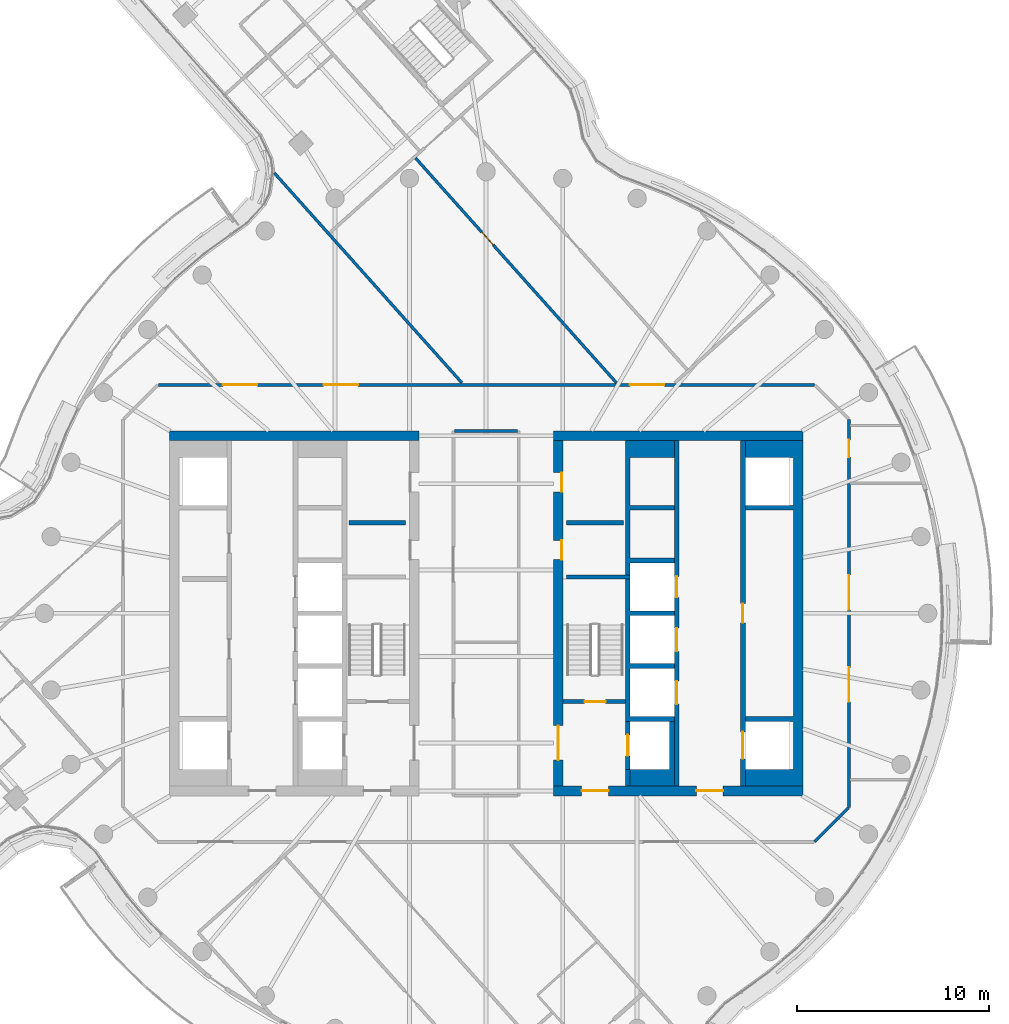
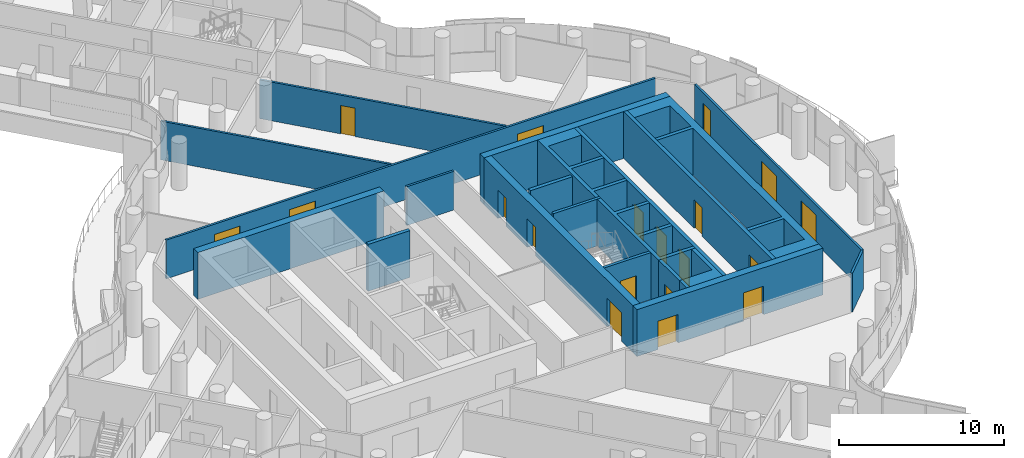
# One storey, part 23 of 33: 21 walls, 19 doors, 19 openings.
"""IFC4 building model written with IfcOpenShell, lengths in metres."""

from ifc_helpers import new_model, si_unit, direction, frame, frame_2d, origin, place, context, subcontext, project, spatial, polyline, rectangle, outline, extrude, material, layer, layer_set, type_object, element, fill, save


model = new_model("IFC4")

# Units and contexts
model_context = context("Model", 3, precision=1e-05, world=origin(), true_north=direction((0.0, 1.0)))
body_context = subcontext(model_context, "Body", "Model", "MODEL_VIEW")
ifc_project = project(units=[si_unit("LENGTHUNIT", "METRE"), si_unit("AREAUNIT", "SQUARE_METRE"), si_unit("VOLUMEUNIT", "CUBIC_METRE"), si_unit("PLANEANGLEUNIT", "RADIAN"), si_unit("MASSUNIT", "GRAM", prefix="KILO")], contexts=[model_context])

# Site, building, storey
site_placement = place(None, origin())
site = spatial("IfcSite", under=ifc_project, at=site_placement, CompositionType="ELEMENT")
building_placement = place(site_placement, origin())
building = spatial("IfcBuilding", under=site, at=building_placement, Name="Tamarind Cross Interchange Tower", CompositionType="ELEMENT")
storey_placement = place(building_placement, frame((0.0, 0.0, 186.10009765625)))
storey = spatial("IfcBuildingStorey", under=building, at=storey_placement, Name="L46", CompositionType="ELEMENT", Elevation=186.10009765625)

# Wall
ifc_material_1 = material(Name="Concrete C55", Category="concrete")
ifc_layer_1 = layer(ifc_material_1, 0.5)
ifc_layer_set_1 = layer_set([ifc_layer_1], Name="Concrete C55")
wall_type_1 = type_object("IfcWallType", Name="Core wall 500 mm Concrete C55", PredefinedType="SHEAR", material=ifc_layer_set_1)
wall_1_placement = place(storey_placement, frame((-16.5, 9.25, 0.0), z_axis=(0.0, 0.0, 1.0), x_axis=(1.0, 0.0, 0.0)))
element("IfcWall", 1, at=wall_1_placement, inside=storey, type_object=wall_type_1, Name="Core wall CWL-L46-W-NE", PredefinedType="SHEAR", context=body_context, shape_type="SweptSolid", body=[
    extrude(rectangle(XDim=13.0, YDim=0.5, at=frame_2d((6.5, 0.0))), origin(), (0.0, 0.0, 1.0), 3.4599609375),
])

# Wall, openings, doors
wall_2_placement = place(storey_placement, frame((16.5, -9.25, 0.0), z_axis=(0.0, 0.0, 1.0), x_axis=(-1.0, 0.0, 0.0)))
wall_2 = element("IfcWall", 2, at=wall_2_placement, inside=storey, type_object=wall_type_1, Name="Core wall CWL-L46-E-S", PredefinedType="SHEAR", context=body_context, shape_type="SweptSolid", body=[
    extrude(rectangle(XDim=13.0, YDim=0.5, at=frame_2d((6.5, 0.0))), origin(), (0.0, 0.0, 1.0), 3.4599609375),
])
opening_1_placement = place(wall_2_placement, frame((4.14990234375, 0.0, 0.0)))
opening_1 = element("IfcOpeningElement", 3, at=opening_1_placement, cuts=wall_2, Name="Opening DCE1", PredefinedType="OPENING", context=body_context, shape_type="SweptSolid", body=[
    extrude(rectangle(XDim=1.39990234375, YDim=2.10009765625, at=frame_2d((0.699951171875, 1.050048828125))), frame((0.0, 0.260009765625, 0.0), z_axis=(0.0, -1.0, 0.0), x_axis=(1.0, 0.0, 0.0)), (0.0, 0.0, 1.0), 0.52001953125),
])
opening_2_placement = place(wall_2_placement, frame((10.125, 0.0, 0.0)))
opening_2 = element("IfcOpeningElement", 4, at=opening_2_placement, cuts=wall_2, Name="Opening DCEF", PredefinedType="OPENING", context=body_context, shape_type="SweptSolid", body=[
    extrude(rectangle(XDim=1.39990234375, YDim=2.10009765625, at=frame_2d((0.699951171875, 1.050048828125))), frame((0.0, 0.260009765625, 0.0), z_axis=(0.0, -1.0, 0.0), x_axis=(1.0, 0.0, 0.0)), (0.0, 0.0, 1.0), 0.52001953125),
])
ifc_material_2 = material(Name="Steel, fire-resisting", Category="steel")
door_type_1 = type_object("IfcDoorType", Name="Core fire door 1400 x 2100 FD90", OperationType="SINGLE_SWING_LEFT", PredefinedType="DOOR", material=ifc_material_2)
door_1_placement = place(opening_1_placement, origin())
door_1 = element("IfcDoor", 5, at=door_1_placement, inside=storey, type_object=door_type_1, Name="L46 lift lobby door", OperationType="SINGLE_SWING_LEFT", OverallHeight=2.10009765625, OverallWidth=1.39990234375, PredefinedType="DOOR", context=body_context, shape_type="SweptSolid", body=[
    extrude(rectangle(XDim=1.39990234375, YDim=2.10009765625, at=frame_2d((0.699951171875, 1.050048828125))), frame((0.0, 0.02490234375, 0.0), z_axis=(0.0, -1.0, 0.0), x_axis=(1.0, 0.0, 0.0)), (0.0, 0.0, 1.0), 0.050048828125),
])
fill(opening_1, door_1)
door_2_placement = place(opening_2_placement, origin())
door_2 = element("IfcDoor", 6, at=door_2_placement, inside=storey, type_object=door_type_1, Name="L46 firefighting lobby end door", OperationType="SINGLE_SWING_LEFT", OverallHeight=2.10009765625, OverallWidth=1.39990234375, PredefinedType="DOOR", context=body_context, shape_type="SweptSolid", body=[
    extrude(rectangle(XDim=1.39990234375, YDim=2.10009765625, at=frame_2d((0.699951171875, 1.050048828125))), frame((0.0, 0.02490234375, 0.0), z_axis=(0.0, -1.0, 0.0), x_axis=(1.0, 0.0, 0.0)), (0.0, 0.0, 1.0), 0.050048828125),
])
fill(opening_2, door_2)

# Walls
wall_3_placement = place(storey_placement, origin())
element("IfcWall", 7, at=wall_3_placement, inside=storey, type_object=wall_type_1, Name="Core wall CWL-L46-E-A", PredefinedType="SHEAR", context=body_context, shape_type="SweptSolid", body=[
    extrude(outline(polyline([(13.5, -8.125), (13.5, -9.0), (16.0, -9.0), (16.5, -9.0), (16.5, 9.0), (16.0, 9.0), (13.5, 9.0), (13.5, 8.125), (16.0, 8.125), (16.0, 5.625), (13.5, 5.625), (13.5, 5.375), (16.0, 5.375), (16.0, -5.375), (13.5, -5.375), (13.5, -5.625), (16.0, -5.625), (16.0, -8.125), (13.5, -8.125)])), origin(), (0.0, 0.0, 1.0), 3.4599609375),
])
wall_4_placement = place(storey_placement, frame((16.5, 9.25, 0.0), z_axis=(0.0, 0.0, 1.0), x_axis=(-1.0, 0.0, 0.0)))
element("IfcWall", 8, at=wall_4_placement, inside=storey, type_object=wall_type_1, Name="Core wall CWL-L46-E-NE", PredefinedType="SHEAR", context=body_context, shape_type="SweptSolid", body=[
    extrude(rectangle(XDim=13.0, YDim=0.5, at=frame_2d((6.5, 0.0))), origin(), (0.0, 0.0, 1.0), 3.4599609375),
])

# Wall, openings, doors
wall_5_placement = place(storey_placement, frame((3.75, -9.0, 0.0), z_axis=(0.0, 0.0, 1.0), x_axis=(0.0, 1.0, 0.0)))
wall_5 = element("IfcWall", 9, at=wall_5_placement, inside=storey, type_object=wall_type_1, Name="Core wall CWL-L46-E-IN", PredefinedType="SHEAR", context=body_context, shape_type="SweptSolid", body=[
    extrude(rectangle(XDim=18.0, YDim=0.5, at=frame_2d((9.0, 0.0))), origin(), (0.0, 0.0, 1.0), 3.4599609375),
])
opening_3_placement = place(wall_5_placement, frame((1.35009765625, 0.0, 0.0)))
opening_3 = element("IfcOpeningElement", 10, at=opening_3_placement, cuts=wall_5, Name="Opening DCE4", PredefinedType="OPENING", context=body_context, shape_type="SweptSolid", body=[
    extrude(rectangle(XDim=1.800048828125, YDim=2.10009765625, at=frame_2d((0.89990234375, 1.050048828125))), frame((0.0, 0.260009765625, 0.0), z_axis=(0.0, -1.0, 0.0), x_axis=(1.0, 0.0, 0.0)), (0.0, 0.0, 1.0), 0.52001953125),
])
opening_4_placement = place(wall_5_placement, frame((11.797607421875, 0.0, 0.0)))
opening_4 = element("IfcOpeningElement", 11, at=opening_4_placement, cuts=wall_5, Name="Opening DCE5", PredefinedType="OPENING", context=body_context, shape_type="SweptSolid", body=[
    extrude(rectangle(XDim=1.0, YDim=2.10009765625, at=frame_2d((0.5, 1.050048828125))), frame((0.0, 0.260009765625, 0.0), z_axis=(0.0, -1.0, 0.0), x_axis=(1.0, 0.0, 0.0)), (0.0, 0.0, 1.0), 0.52001953125),
])
opening_5_placement = place(wall_5_placement, frame((15.322509765625, 0.0, 0.0)))
opening_5 = element("IfcOpeningElement", 12, at=opening_5_placement, cuts=wall_5, Name="Opening DCE5", PredefinedType="OPENING", context=body_context, shape_type="SweptSolid", body=[
    extrude(rectangle(XDim=1.0, YDim=2.10009765625, at=frame_2d((0.5, 1.050048828125))), frame((0.0, 0.260009765625, 0.0), z_axis=(0.0, -1.0, 0.0), x_axis=(1.0, 0.0, 0.0)), (0.0, 0.0, 1.0), 0.52001953125),
])
door_type_2 = type_object("IfcDoorType", Name="Core fire door 1000 x 2100 FD90", OperationType="SINGLE_SWING_LEFT", PredefinedType="DOOR", material=ifc_material_2)
door_3_placement = place(opening_4_placement, origin())
door_3 = element("IfcDoor", 13, at=door_3_placement, inside=storey, type_object=door_type_2, Name="L46 linen press door", OperationType="SINGLE_SWING_LEFT", OverallHeight=2.10009765625, OverallWidth=1.0, PredefinedType="DOOR", context=body_context, shape_type="SweptSolid", body=[
    extrude(rectangle(XDim=1.0, YDim=2.10009765625, at=frame_2d((0.5, 1.050048828125))), frame((0.0, -0.1748046875, 0.0), z_axis=(0.0, -1.0, 0.0), x_axis=(1.0, 0.0, 0.0)), (0.0, 0.0, 1.0), 0.050048828125),
])
fill(opening_4, door_3)
door_4_placement = place(opening_5_placement, origin())
door_4 = element("IfcDoor", 14, at=door_4_placement, inside=storey, type_object=door_type_2, Name="L46 housekeeping pantry door", OperationType="SINGLE_SWING_LEFT", OverallHeight=2.10009765625, OverallWidth=1.0, PredefinedType="DOOR", context=body_context, shape_type="SweptSolid", body=[
    extrude(rectangle(XDim=1.0, YDim=2.10009765625, at=frame_2d((0.5, 1.050048828125))), frame((0.0, -0.1748046875, 0.0), z_axis=(0.0, -1.0, 0.0), x_axis=(1.0, 0.0, 0.0)), (0.0, 0.0, 1.0), 0.050048828125),
])
fill(opening_5, door_4)
door_type_3 = type_object("IfcDoorType", Name="Core fire door 1800 x 2100 FD90", OperationType="SINGLE_SWING_LEFT", PredefinedType="DOOR", material=ifc_material_2)
door_5_placement = place(opening_3_placement, origin())
door_5 = element("IfcDoor", 15, at=door_5_placement, inside=storey, type_object=door_type_3, Name="L46 firefighting lobby door", OperationType="SINGLE_SWING_LEFT", OverallHeight=2.10009765625, OverallWidth=1.800048828125, PredefinedType="DOOR", context=body_context, shape_type="SweptSolid", body=[
    extrude(rectangle(XDim=1.800048828125, YDim=2.10009765625, at=frame_2d((0.89990234375, 1.050048828125))), frame((0.0, 0.02490234375, 0.0), z_axis=(0.0, -1.0, 0.0), x_axis=(1.0, 0.0, 0.0)), (0.0, 0.0, 1.0), 0.050048828125),
])
fill(opening_3, door_5)

# Walls
ifc_layer_2 = layer(ifc_material_1, 0.199951171875)
ifc_layer_set_2 = layer_set([ifc_layer_2], Name="Concrete C55")
wall_type_2 = type_object("IfcWallType", Name="Core web wall 200 mm Concrete C55", PredefinedType="SHEAR", material=ifc_layer_set_2)
wall_6_placement = place(storey_placement, frame((7.5, 1.89990234375, 0.0), z_axis=(0.0, 0.0, 1.0), x_axis=(-1.0, 0.0, 0.0)))
element("IfcWall", 16, at=wall_6_placement, inside=storey, type_object=wall_type_2, Name="Core wall CWL-L46-E-BD", PredefinedType="SHEAR", context=body_context, shape_type="SweptSolid", body=[
    extrude(rectangle(XDim=3.300048828125, YDim=0.199951171875, at=frame_2d((1.64990234375, 0.0))), origin(), (0.0, 0.0, 1.0), 3.4599609375),
])
ifc_layer_3 = layer(ifc_material_1, 0.25)
ifc_layer_set_3 = layer_set([ifc_layer_3], Name="Concrete C55")
wall_type_3 = type_object("IfcWallType", Name="Core web wall 250 mm Concrete C55", PredefinedType="SHEAR", material=ifc_layer_set_3)
wall_7_placement = place(storey_placement, origin())
element("IfcWall", 17, at=wall_7_placement, inside=storey, type_object=wall_type_3, Name="Core wall CWL-L46-E-BN", PredefinedType="SHEAR", context=body_context, shape_type="SweptSolid", body=[
    extrude(outline(polyline([(9.800048828125, -5.375), (7.5, -5.375), (7.5, -2.875), (9.800048828125, -2.875), (9.800048828125, -2.625), (7.5, -2.625), (7.5, -0.125), (9.800048828125, -0.125), (9.800048828125, 0.125), (7.5, 0.125), (7.5, 2.625), (9.800048828125, 2.625), (9.800048828125, 2.875), (7.5, 2.875), (7.5, 5.375), (9.800048828125, 5.375), (9.800048828125, 5.625), (7.5, 5.625), (7.5, 8.125), (9.800048828125, 8.125), (9.800048828125, 9.0), (7.5, 9.0), (7.25, 9.0), (7.25, -5.625), (7.5, -5.625), (9.800048828125, -5.625), (9.800048828125, -5.375)])), origin(), (0.0, 0.0, 1.0), 3.4599609375),
])
wall_8_placement = place(storey_placement, origin())
element("IfcWall", 18, at=wall_8_placement, inside=storey, type_object=wall_type_3, Name="Core wall CWL-L46-E-BS", PredefinedType="SHEAR", context=body_context, shape_type="SweptSolid", body=[
    extrude(outline(polyline([(7.5, -8.125), (7.5, -9.0), (9.800048828125, -9.0), (9.800048828125, -8.125), (9.800048828125, -5.625), (9.550048828125, -5.625), (9.550048828125, -8.125), (7.5, -8.125)])), origin(), (0.0, 0.0, 1.0), 3.4599609375),
])
wall_9_placement = place(storey_placement, frame((7.375, -9.0, 0.0), z_axis=(0.0, 0.0, 1.0), x_axis=(0.0, 1.0, 0.0)))
element("IfcWall", 19, at=wall_9_placement, inside=storey, type_object=wall_type_3, Name="Core wall CWL-L46-E-BW", PredefinedType="SHEAR", context=body_context, shape_type="SweptSolid", body=[
    extrude(rectangle(XDim=0.875, YDim=0.25, at=frame_2d((0.4375, 0.0))), origin(), (0.0, 0.0, 1.0), 3.4599609375),
])

# Wall, openings, doors
wall_10_placement = place(storey_placement, frame((13.375, -9.0, 0.0), z_axis=(0.0, 0.0, 1.0), x_axis=(0.0, 1.0, 0.0)))
wall_10 = element("IfcWall", 20, at=wall_10_placement, inside=storey, type_object=wall_type_3, Name="Core wall CWL-L46-E-LA", PredefinedType="SHEAR", context=body_context, shape_type="SweptSolid", body=[
    extrude(rectangle(XDim=18.0, YDim=0.25, at=frame_2d((9.0, 0.0))), origin(), (0.0, 0.0, 1.0), 3.4599609375),
])
opening_6_placement = place(wall_10_placement, frame((1.425048828125, 0.0, 0.0)))
opening_6 = element("IfcOpeningElement", 21, at=opening_6_placement, cuts=wall_10, Name="Opening LD13L46", PredefinedType="OPENING", context=body_context, shape_type="SweptSolid", body=[
    extrude(rectangle(XDim=1.39990234375, YDim=2.10009765625, at=frame_2d((0.699951171875, 1.050048828125))), frame((0.0, 0.135009765625, 0.0), z_axis=(0.0, -1.0, 0.0), x_axis=(1.0, 0.0, 0.0)), (0.0, 0.0, 1.0), 0.27001953125),
])
opening_7_placement = place(wall_10_placement, frame((8.5, 0.0, 0.0)))
opening_7 = element("IfcOpeningElement", 22, at=opening_7_placement, cuts=wall_10, Name="Opening DCE9", PredefinedType="OPENING", context=body_context, shape_type="SweptSolid", body=[
    extrude(rectangle(XDim=1.0, YDim=2.10009765625, at=frame_2d((0.5, 1.050048828125))), frame((0.0, 0.135009765625, 0.0), z_axis=(0.0, -1.0, 0.0), x_axis=(1.0, 0.0, 0.0)), (0.0, 0.0, 1.0), 0.27001953125),
])
door_6_placement = place(opening_7_placement, origin())
door_6 = element("IfcDoor", 23, at=door_6_placement, inside=storey, type_object=door_type_2, Name="L46 Housekeeping pantry door", OperationType="SINGLE_SWING_LEFT", OverallHeight=2.10009765625, OverallWidth=1.0, PredefinedType="DOOR", context=body_context, shape_type="SweptSolid", body=[
    extrude(rectangle(XDim=1.0, YDim=2.10009765625, at=frame_2d((0.5, 1.050048828125))), frame((0.0, 0.02490234375, 0.0), z_axis=(0.0, -1.0, 0.0), x_axis=(1.0, 0.0, 0.0)), (0.0, 0.0, 1.0), 0.050048828125),
])
fill(opening_7, door_6)
ifc_material_3 = material(Name="Stainless steel panel", Category="steel")
door_type_4 = type_object("IfcDoorType", Name="Lift landing door 1400 x 2100 E 120", OperationType="SLIDING_TO_LEFT", PredefinedType="DOOR", material=ifc_material_3)
door_7_placement = place(opening_6_placement, origin())
door_7 = element("IfcDoor", 24, at=door_7_placement, inside=storey, type_object=door_type_4, Name="L46 landing door LF13", OperationType="SLIDING_TO_LEFT", OverallHeight=2.10009765625, OverallWidth=1.39990234375, PredefinedType="DOOR", context=body_context, shape_type="SweptSolid", body=[
    extrude(rectangle(XDim=1.39990234375, YDim=2.10009765625, at=frame_2d((0.699951171875, 1.050048828125))), frame((0.0, 0.02490234375, 0.0), z_axis=(0.0, -1.0, 0.0), x_axis=(1.0, 0.0, 0.0)), (0.0, 0.0, 1.0), 0.050048828125),
])
fill(opening_6, door_7)

wall_11_placement = place(storey_placement, frame((9.925048828125, -9.0, 0.0), z_axis=(0.0, 0.0, 1.0), x_axis=(0.0, 1.0, 0.0)))
wall_11 = element("IfcWall", 25, at=wall_11_placement, inside=storey, type_object=wall_type_3, Name="Core wall CWL-L46-E-LB", PredefinedType="SHEAR", context=body_context, shape_type="SweptSolid", body=[
    extrude(rectangle(XDim=18.0, YDim=0.25, at=frame_2d((9.0, 0.0))), origin(), (0.0, 0.0, 1.0), 3.4599609375),
])
opening_8_placement = place(wall_11_placement, frame((4.27490234375, 0.0, 0.0)))
opening_8 = element("IfcOpeningElement", 26, at=opening_8_placement, cuts=wall_11, Name="Opening LD20L46", PredefinedType="OPENING", context=body_context, shape_type="SweptSolid", body=[
    extrude(rectangle(XDim=1.199951171875, YDim=2.10009765625, at=frame_2d((0.60009765625, 1.050048828125))), frame((0.0, 0.135009765625, 0.0), z_axis=(0.0, -1.0, 0.0), x_axis=(1.0, 0.0, 0.0)), (0.0, 0.0, 1.0), 0.27001953125),
])
opening_9_placement = place(wall_11_placement, frame((7.02490234375, 0.0, 0.0)))
opening_9 = element("IfcOpeningElement", 27, at=opening_9_placement, cuts=wall_11, Name="Opening LD21L46", PredefinedType="OPENING", context=body_context, shape_type="SweptSolid", body=[
    extrude(rectangle(XDim=1.199951171875, YDim=2.10009765625, at=frame_2d((0.60009765625, 1.050048828125))), frame((0.0, 0.135009765625, 0.0), z_axis=(0.0, -1.0, 0.0), x_axis=(1.0, 0.0, 0.0)), (0.0, 0.0, 1.0), 0.27001953125),
])
opening_10_placement = place(wall_11_placement, frame((9.824951171875, 0.0, 0.0)))
opening_10 = element("IfcOpeningElement", 28, at=opening_10_placement, cuts=wall_11, Name="Opening LD22L46", PredefinedType="OPENING", context=body_context, shape_type="SweptSolid", body=[
    extrude(rectangle(XDim=1.10009765625, YDim=2.10009765625, at=frame_2d((0.550048828125, 1.050048828125))), frame((0.0, 0.135009765625, 0.0), z_axis=(0.0, -1.0, 0.0), x_axis=(1.0, 0.0, 0.0)), (0.0, 0.0, 1.0), 0.27001953125),
])
door_type_5 = type_object("IfcDoorType", Name="Lift landing door 1100 x 2100 E 120", OperationType="SLIDING_TO_LEFT", PredefinedType="DOOR", material=ifc_material_3)
door_8_placement = place(opening_10_placement, origin())
door_8 = element("IfcDoor", 29, at=door_8_placement, inside=storey, type_object=door_type_5, Name="L46 landing door LF22", OperationType="SLIDING_TO_LEFT", OverallHeight=2.10009765625, OverallWidth=1.10009765625, PredefinedType="DOOR", context=body_context, shape_type="SweptSolid", body=[
    extrude(rectangle(XDim=1.10009765625, YDim=2.10009765625, at=frame_2d((0.550048828125, 1.050048828125))), frame((0.0, 0.02490234375, 0.0), z_axis=(0.0, -1.0, 0.0), x_axis=(1.0, 0.0, 0.0)), (0.0, 0.0, 1.0), 0.050048828125),
])
fill(opening_10, door_8)
door_type_6 = type_object("IfcDoorType", Name="Lift landing door 1200 x 2100 E 120", OperationType="SLIDING_TO_LEFT", PredefinedType="DOOR", material=ifc_material_3)
door_9_placement = place(opening_8_placement, origin())
door_9 = element("IfcDoor", 30, at=door_9_placement, inside=storey, type_object=door_type_6, Name="L46 landing door LF20", OperationType="SLIDING_TO_LEFT", OverallHeight=2.10009765625, OverallWidth=1.199951171875, PredefinedType="DOOR", context=body_context, shape_type="SweptSolid", body=[
    extrude(rectangle(XDim=1.199951171875, YDim=2.10009765625, at=frame_2d((0.60009765625, 1.050048828125))), frame((0.0, 0.02490234375, 0.0), z_axis=(0.0, -1.0, 0.0), x_axis=(1.0, 0.0, 0.0)), (0.0, 0.0, 1.0), 0.050048828125),
])
fill(opening_8, door_9)
door_10_placement = place(opening_9_placement, origin())
door_10 = element("IfcDoor", 31, at=door_10_placement, inside=storey, type_object=door_type_6, Name="L46 landing door LF21", OperationType="SLIDING_TO_LEFT", OverallHeight=2.10009765625, OverallWidth=1.199951171875, PredefinedType="DOOR", context=body_context, shape_type="SweptSolid", body=[
    extrude(rectangle(XDim=1.199951171875, YDim=2.10009765625, at=frame_2d((0.60009765625, 1.050048828125))), frame((0.0, 0.02490234375, 0.0), z_axis=(0.0, -1.0, 0.0), x_axis=(1.0, 0.0, 0.0)), (0.0, 0.0, 1.0), 0.050048828125),
])
fill(opening_9, door_10)

# Wall, opening, door
wall_12_placement = place(storey_placement, frame((7.375, -8.125, 0.0), z_axis=(0.0, 0.0, 1.0), x_axis=(0.0, 1.0, 0.0)))
wall_12 = element("IfcWall", 32, at=wall_12_placement, inside=storey, type_object=wall_type_3, Name="Core wall CWL-L46-E-FF", PredefinedType="SHEAR", context=body_context, shape_type="SweptSolid", body=[
    extrude(rectangle(XDim=2.5, YDim=0.25, at=frame_2d((1.25, 0.0))), origin(), (0.0, 0.0, 1.0), 3.4599609375),
])
opening_11_placement = place(wall_12_placement, frame((0.699951171875, 0.0, 0.0)))
opening_11 = element("IfcOpeningElement", 33, at=opening_11_placement, cuts=wall_12, Name="Opening LD19L46", PredefinedType="OPENING", context=body_context, shape_type="SweptSolid", body=[
    extrude(rectangle(XDim=1.10009765625, YDim=2.10009765625, at=frame_2d((0.550048828125, 1.050048828125))), frame((0.0, 0.135009765625, 0.0), z_axis=(0.0, -1.0, 0.0), x_axis=(1.0, 0.0, 0.0)), (0.0, 0.0, 1.0), 0.27001953125),
])
door_11_placement = place(opening_11_placement, origin())
door_11 = element("IfcDoor", 34, at=door_11_placement, inside=storey, type_object=door_type_5, Name="L46 landing door LF19", OperationType="SLIDING_TO_LEFT", OverallHeight=2.10009765625, OverallWidth=1.10009765625, PredefinedType="DOOR", context=body_context, shape_type="SweptSolid", body=[
    extrude(rectangle(XDim=1.10009765625, YDim=2.10009765625, at=frame_2d((0.550048828125, 1.050048828125))), frame((0.0, 0.02490234375, 0.0), z_axis=(0.0, -1.0, 0.0), x_axis=(1.0, 0.0, 0.0)), (0.0, 0.0, 1.0), 0.050048828125),
])
fill(opening_11, door_11)

# Wall
ifc_material_4 = material(Name="Gypsum board partition on steel studs", Category="steel")
ifc_layer_4 = layer(ifc_material_4, 0.14990234375)
ifc_layer_set_4 = layer_set([ifc_layer_4], Name="Gypsum board partition on steel studs")
wall_type_4 = type_object("IfcWallType", Name="Partition 150 mm EI 120", PredefinedType="PARTITIONING", material=ifc_layer_set_4)
wall_13_placement = place(storey_placement, frame((-11.026611328125, 22.932373046875, 0.0), z_axis=(0.0, 0.0, 1.0), x_axis=(0.666397804254, -0.745596383096, 0.0)))
element("IfcWall", 35, at=wall_13_placement, inside=storey, type_object=wall_type_4, Name="Partition L46-018", PredefinedType="PARTITIONING", context=body_context, shape_type="SweptSolid", body=[
    extrude(rectangle(XDim=14.65185546875, YDim=0.14990234375, at=frame_2d((7.325927734375, 0.0))), origin(), (0.0, 0.0, 1.0), 2.864013671875),
])

# Wall, opening, door
wall_14_placement = place(storey_placement, frame((-3.671630859375, 23.70751953125, 0.0), z_axis=(0.0, 0.0, 1.0), x_axis=(0.666408651831, -0.745586687626, 0.0)))
wall_14 = element("IfcWall", 36, at=wall_14_placement, inside=storey, type_object=wall_type_4, Name="Partition L46-022", PredefinedType="PARTITIONING", context=body_context, shape_type="SweptSolid", body=[
    extrude(rectangle(XDim=15.691650390625, YDim=0.14990234375, at=frame_2d((7.845703125, 0.0))), origin(), (0.0, 0.0, 1.0), 2.864013671875),
])
opening_12_placement = place(wall_14_placement, frame((5.169921875, 0.0, 0.0)))
opening_12 = element("IfcOpeningElement", 37, at=opening_12_placement, cuts=wall_14, Name="Opening D12", PredefinedType="OPENING", context=body_context, shape_type="SweptSolid", body=[
    extrude(rectangle(XDim=0.89990234375, YDim=2.10009765625, at=frame_2d((0.449951171875, 1.050048828125))), frame((0.0, 0.0849609375, 0.0), z_axis=(0.0, -1.0, 0.0), x_axis=(1.0, 0.0, 0.0)), (0.0, 0.0, 1.0), 0.169921875),
])
ifc_material_5 = material(Name="Fire-resisting door set")
door_type_7 = type_object("IfcDoorType", Name="Interior door 900 x 2100 FD60S", OperationType="SINGLE_SWING_LEFT", PredefinedType="DOOR", material=ifc_material_5)
door_12_placement = place(opening_12_placement, frame((0.89990234375, 0.0, 0.0), z_axis=(0.0, 0.0, 1.0), x_axis=(-1.0, 0.0, 0.0)))
door_12 = element("IfcDoor", 38, at=door_12_placement, inside=storey, type_object=door_type_7, Name="Door D12", OperationType="SINGLE_SWING_LEFT", OverallHeight=2.10009765625, OverallWidth=0.89990234375, PredefinedType="DOOR", context=body_context, shape_type="SweptSolid", body=[
    extrude(rectangle(XDim=0.89990234375, YDim=2.10009765625, at=frame_2d((0.449951171875, 1.050048828125))), frame((0.0, 0.02490234375, 0.0), z_axis=(0.0, -1.0, 0.0), x_axis=(1.0, 0.0, 0.0)), (0.0, 0.0, 1.0), 0.050048828125),
])
fill(opening_12, door_12)

# Wall, openings, doors
wall_15_placement = place(storey_placement, frame((-17.06494140625, 11.89990234375, 0.0), z_axis=(0.0, 0.0, 1.0), x_axis=(1.0, 0.0, 0.0)))
wall_15 = element("IfcWall", 39, at=wall_15_placement, inside=storey, type_object=wall_type_4, Name="Partition L46-037", PredefinedType="PARTITIONING", context=body_context, shape_type="SweptSolid", body=[
    extrude(rectangle(XDim=34.1650390625, YDim=0.14990234375, at=frame_2d((17.08251953125, 0.0))), origin(), (0.0, 0.0, 1.0), 2.864013671875),
])
opening_13_placement = place(wall_15_placement, frame((24.547119140625, 0.0, 0.0)))
opening_13 = element("IfcOpeningElement", 40, at=opening_13_placement, cuts=wall_15, Name="Opening D22", PredefinedType="OPENING", context=body_context, shape_type="SweptSolid", body=[
    extrude(rectangle(XDim=1.800048828125, YDim=2.10009765625, at=frame_2d((0.89990234375, 1.050048828125))), frame((0.0, 0.0849609375, 0.0), z_axis=(0.0, -1.0, 0.0), x_axis=(1.0, 0.0, 0.0)), (0.0, 0.0, 1.0), 0.169921875),
])
opening_14_placement = place(wall_15_placement, frame((8.60595703125, 0.0, 0.0)))
opening_14 = element("IfcOpeningElement", 41, at=opening_14_placement, cuts=wall_15, Name="Opening D23", PredefinedType="OPENING", context=body_context, shape_type="SweptSolid", body=[
    extrude(rectangle(XDim=1.800048828125, YDim=2.10009765625, at=frame_2d((0.89990234375, 1.050048828125))), frame((0.0, 0.0849609375, 0.0), z_axis=(0.0, -1.0, 0.0), x_axis=(1.0, 0.0, 0.0)), (0.0, 0.0, 1.0), 0.169921875),
])
opening_15_placement = place(wall_15_placement, frame((3.35595703125, 0.0, 0.0)))
opening_15 = element("IfcOpeningElement", 42, at=opening_15_placement, cuts=wall_15, Name="Opening D24", PredefinedType="OPENING", context=body_context, shape_type="SweptSolid", body=[
    extrude(rectangle(XDim=1.800048828125, YDim=2.10009765625, at=frame_2d((0.89990234375, 1.050048828125))), frame((0.0, 0.0849609375, 0.0), z_axis=(0.0, -1.0, 0.0), x_axis=(1.0, 0.0, 0.0)), (0.0, 0.0, 1.0), 0.169921875),
])
door_type_8 = type_object("IfcDoorType", Name="Interior door 1800 x 2100 FD60S", OperationType="DOUBLE_DOOR_SINGLE_SWING", PredefinedType="DOOR", material=ifc_material_5)
door_13_placement = place(opening_13_placement, frame((1.800048828125, 0.0, 0.0), z_axis=(0.0, 0.0, 1.0), x_axis=(-1.0, 0.0, 0.0)))
door_13 = element("IfcDoor", 43, at=door_13_placement, inside=storey, type_object=door_type_8, Name="Door D22", OperationType="DOUBLE_DOOR_SINGLE_SWING", OverallHeight=2.10009765625, OverallWidth=1.800048828125, PredefinedType="DOOR", context=body_context, shape_type="SweptSolid", body=[
    extrude(rectangle(XDim=1.800048828125, YDim=2.10009765625, at=frame_2d((0.89990234375, 1.050048828125))), frame((0.0, 0.02490234375, 0.0), z_axis=(0.0, -1.0, 0.0), x_axis=(1.0, 0.0, 0.0)), (0.0, 0.0, 1.0), 0.050048828125),
])
fill(opening_13, door_13)
door_14_placement = place(opening_14_placement, origin())
door_14 = element("IfcDoor", 44, at=door_14_placement, inside=storey, type_object=door_type_8, Name="Door D23", OperationType="DOUBLE_DOOR_SINGLE_SWING", OverallHeight=2.10009765625, OverallWidth=1.800048828125, PredefinedType="DOOR", context=body_context, shape_type="SweptSolid", body=[
    extrude(rectangle(XDim=1.800048828125, YDim=2.10009765625, at=frame_2d((0.89990234375, 1.050048828125))), frame((0.0, 0.02490234375, 0.0), z_axis=(0.0, -1.0, 0.0), x_axis=(1.0, 0.0, 0.0)), (0.0, 0.0, 1.0), 0.050048828125),
])
fill(opening_14, door_14)
door_15_placement = place(opening_15_placement, origin())
door_15 = element("IfcDoor", 45, at=door_15_placement, inside=storey, type_object=door_type_8, Name="Door D24", OperationType="DOUBLE_DOOR_SINGLE_SWING", OverallHeight=2.10009765625, OverallWidth=1.800048828125, PredefinedType="DOOR", context=body_context, shape_type="SweptSolid", body=[
    extrude(rectangle(XDim=1.800048828125, YDim=2.10009765625, at=frame_2d((0.89990234375, 1.050048828125))), frame((0.0, 0.02490234375, 0.0), z_axis=(0.0, -1.0, 0.0), x_axis=(1.0, 0.0, 0.0)), (0.0, 0.0, 1.0), 0.050048828125),
])
fill(opening_15, door_15)

# Walls
wall_16_placement = place(storey_placement, frame((-1.639892578125, 9.5, 0.0), z_axis=(0.0, 0.0, 1.0), x_axis=(1.0, 0.0, 0.0)))
element("IfcWall", 46, at=wall_16_placement, inside=storey, type_object=wall_type_4, Name="Partition L46-040", PredefinedType="PARTITIONING", context=body_context, shape_type="SweptSolid", body=[
    extrude(rectangle(XDim=3.27978515625, YDim=0.14990234375, at=frame_2d((1.639892578125, 0.0))), origin(), (0.0, 0.0, 1.0), 2.864013671875),
])
wall_17_placement = place(storey_placement, frame((17.10009765625, -11.89990234375, 0.0), z_axis=(0.0, 0.0, 1.0), x_axis=(0.707106781187, 0.707106781187, 0.0)))
element("IfcWall", 47, at=wall_17_placement, inside=storey, type_object=wall_type_4, Name="Partition L46-075", PredefinedType="PARTITIONING", context=body_context, shape_type="SweptSolid", body=[
    extrude(rectangle(XDim=2.50537109375, YDim=0.14990234375, at=frame_2d((1.252685546875, 0.0))), origin(), (0.0, 0.0, 1.0), 2.864013671875),
])

# Wall, openings, doors
wall_18_placement = place(storey_placement, frame((18.89990234375, -10.10009765625, 0.0), z_axis=(0.0, 0.0, 1.0), x_axis=(0.0, 1.0, 0.0)))
wall_18 = element("IfcWall", 48, at=wall_18_placement, inside=storey, type_object=wall_type_4, Name="Partition L46-079", PredefinedType="PARTITIONING", context=body_context, shape_type="SweptSolid", body=[
    extrude(rectangle(XDim=20.2001953125, YDim=0.14990234375, at=frame_2d((10.10009765625, 0.0))), origin(), (0.0, 0.0, 1.0), 2.864013671875),
])
opening_16_placement = place(wall_18_placement, frame((18.23193359375, 0.0, 0.0)))
opening_16 = element("IfcOpeningElement", 49, at=opening_16_placement, cuts=wall_18, Name="Opening D45", PredefinedType="OPENING", context=body_context, shape_type="SweptSolid", body=[
    extrude(rectangle(XDim=0.89990234375, YDim=2.10009765625, at=frame_2d((0.449951171875, 1.050048828125))), frame((0.0, 0.0849609375, 0.0), z_axis=(0.0, -1.0, 0.0), x_axis=(1.0, 0.0, 0.0)), (0.0, 0.0, 1.0), 0.169921875),
])
opening_17_placement = place(wall_18_placement, frame((10.285888671875, 0.0, 0.0)))
opening_17 = element("IfcOpeningElement", 50, at=opening_17_placement, cuts=wall_18, Name="Opening D46", PredefinedType="OPENING", context=body_context, shape_type="SweptSolid", body=[
    extrude(rectangle(XDim=1.800048828125, YDim=2.10009765625, at=frame_2d((0.89990234375, 1.050048828125))), frame((0.0, 0.0849609375, 0.0), z_axis=(0.0, -1.0, 0.0), x_axis=(1.0, 0.0, 0.0)), (0.0, 0.0, 1.0), 0.169921875),
])
opening_18_placement = place(wall_18_placement, frame((5.486083984375, 0.0, 0.0)))
opening_18 = element("IfcOpeningElement", 51, at=opening_18_placement, cuts=wall_18, Name="Opening D47", PredefinedType="OPENING", context=body_context, shape_type="SweptSolid", body=[
    extrude(rectangle(XDim=1.800048828125, YDim=2.10009765625, at=frame_2d((0.89990234375, 1.050048828125))), frame((0.0, 0.0849609375, 0.0), z_axis=(0.0, -1.0, 0.0), x_axis=(1.0, 0.0, 0.0)), (0.0, 0.0, 1.0), 0.169921875),
])
door_16_placement = place(opening_17_placement, frame((1.800048828125, 0.0, 0.0), z_axis=(0.0, 0.0, 1.0), x_axis=(-1.0, 0.0, 0.0)))
door_16 = element("IfcDoor", 52, at=door_16_placement, inside=storey, type_object=door_type_8, Name="Door D46", OperationType="DOUBLE_DOOR_SINGLE_SWING", OverallHeight=2.10009765625, OverallWidth=1.800048828125, PredefinedType="DOOR", context=body_context, shape_type="SweptSolid", body=[
    extrude(rectangle(XDim=1.800048828125, YDim=2.10009765625, at=frame_2d((0.89990234375, 1.050048828125))), frame((0.0, 0.02490234375, 0.0), z_axis=(0.0, -1.0, 0.0), x_axis=(1.0, 0.0, 0.0)), (0.0, 0.0, 1.0), 0.050048828125),
])
fill(opening_17, door_16)
door_17_placement = place(opening_18_placement, frame((1.800048828125, 0.0, 0.0), z_axis=(0.0, 0.0, 1.0), x_axis=(-1.0, 0.0, 0.0)))
door_17 = element("IfcDoor", 53, at=door_17_placement, inside=storey, type_object=door_type_8, Name="Door D47", OperationType="DOUBLE_DOOR_SINGLE_SWING", OverallHeight=2.10009765625, OverallWidth=1.800048828125, PredefinedType="DOOR", context=body_context, shape_type="SweptSolid", body=[
    extrude(rectangle(XDim=1.800048828125, YDim=2.10009765625, at=frame_2d((0.89990234375, 1.050048828125))), frame((0.0, 0.02490234375, 0.0), z_axis=(0.0, -1.0, 0.0), x_axis=(1.0, 0.0, 0.0)), (0.0, 0.0, 1.0), 0.050048828125),
])
fill(opening_18, door_17)
door_18_placement = place(opening_16_placement, frame((0.89990234375, 0.0, 0.0), z_axis=(0.0, 0.0, 1.0), x_axis=(-1.0, 0.0, 0.0)))
door_18 = element("IfcDoor", 54, at=door_18_placement, inside=storey, type_object=door_type_7, Name="Door D45", OperationType="SINGLE_SWING_RIGHT", OverallHeight=2.10009765625, OverallWidth=0.89990234375, PredefinedType="DOOR", context=body_context, shape_type="SweptSolid", body=[
    extrude(rectangle(XDim=0.89990234375, YDim=2.10009765625, at=frame_2d((0.449951171875, 1.050048828125))), frame((0.0, 0.02490234375, 0.0), z_axis=(0.0, -1.0, 0.0), x_axis=(1.0, 0.0, 0.0)), (0.0, 0.0, 1.0), 0.050048828125),
])
fill(opening_16, door_18)

# Walls
ifc_material_6 = material(Name="Concrete C40", Category="concrete")
ifc_layer_5 = layer(ifc_material_6, 0.25)
ifc_layer_set_5 = layer_set([ifc_layer_5], Name="Concrete C40")
wall_type_5 = type_object("IfcWallType", Name="Shaft and lobby wall 250 mm Concrete C40", PredefinedType="PARTITIONING", material=ifc_layer_set_5)
for number, where, z_axis, x_axis, name in (
    (55, (-7.14990234375, 4.719970703125, 0.0), (0.0, 0.0, 1.0), (1.0, 0.0, 0.0), "Shaft wall CWL-L46-W-SVP"),
    (56, (7.14990234375, 4.719970703125, 0.0), (0.0, 0.0, 1.0), (-1.0, 0.0, 0.0), "Shaft wall CWL-L46-E-SVP"),
):
    element("IfcWall", number, at=place(storey_placement, frame(where, z_axis=z_axis, x_axis=x_axis)), inside=storey, type_object=wall_type_5, Name=name, PredefinedType="PARTITIONING", context=body_context, shape_type="SweptSolid", body=[
        extrude(rectangle(XDim=2.949951171875, YDim=0.25, at=frame_2d((1.47509765625, 0.0))), origin(), (0.0, 0.0, 1.0), 3.4599609375),
    ])

# Wall, opening, door
ifc_layer_6 = layer(ifc_material_6, 0.199951171875)
ifc_layer_set_6 = layer_set([ifc_layer_6], Name="Concrete C40")
wall_type_6 = type_object("IfcWallType", Name="Stair shaft wall 200 mm Concrete C40", PredefinedType="SHEAR", material=ifc_layer_set_6)
wall_19_placement = place(storey_placement, frame((7.25, -4.60009765625, 0.0), z_axis=(0.0, 0.0, 1.0), x_axis=(-1.0, 0.0, 0.0)))
wall_19 = element("IfcWall", 57, at=wall_19_placement, inside=storey, type_object=wall_type_6, Name="Core wall CWL-L46-E-SD", PredefinedType="SHEAR", context=body_context, shape_type="SweptSolid", body=[
    extrude(rectangle(XDim=3.25, YDim=0.199951171875, at=frame_2d((1.625, 0.0))), origin(), (0.0, 0.0, 1.0), 3.4599609375),
])
opening_19_placement = place(wall_19_placement, frame((1.02490234375, 0.0, 0.0)))
opening_19 = element("IfcOpeningElement", 58, at=opening_19_placement, cuts=wall_19, Name="Opening DCE6", PredefinedType="OPENING", context=body_context, shape_type="SweptSolid", body=[
    extrude(rectangle(XDim=1.10009765625, YDim=2.10009765625, at=frame_2d((0.550048828125, 1.050048828125))), frame((0.0, 0.10986328125, 0.0), z_axis=(0.0, -1.0, 0.0), x_axis=(1.0, 0.0, 0.0)), (0.0, 0.0, 1.0), 0.219970703125),
])
door_type_9 = type_object("IfcDoorType", Name="Core fire door 1100 x 2100 FD90", OperationType="SINGLE_SWING_LEFT", PredefinedType="DOOR", material=ifc_material_2)
door_19_placement = place(opening_19_placement, origin())
door_19 = element("IfcDoor", 59, at=door_19_placement, inside=storey, type_object=door_type_9, Name="L46 stair door", OperationType="SINGLE_SWING_LEFT", OverallHeight=2.10009765625, OverallWidth=1.10009765625, PredefinedType="DOOR", context=body_context, shape_type="SweptSolid", body=[
    extrude(rectangle(XDim=1.10009765625, YDim=2.10009765625, at=frame_2d((0.550048828125, 1.050048828125))), frame((0.0, 0.02490234375, 0.0), z_axis=(0.0, -1.0, 0.0), x_axis=(1.0, 0.0, 0.0)), (0.0, 0.0, 1.0), 0.050048828125),
])
fill(opening_19, door_19)

save(model, "model.ifc")
